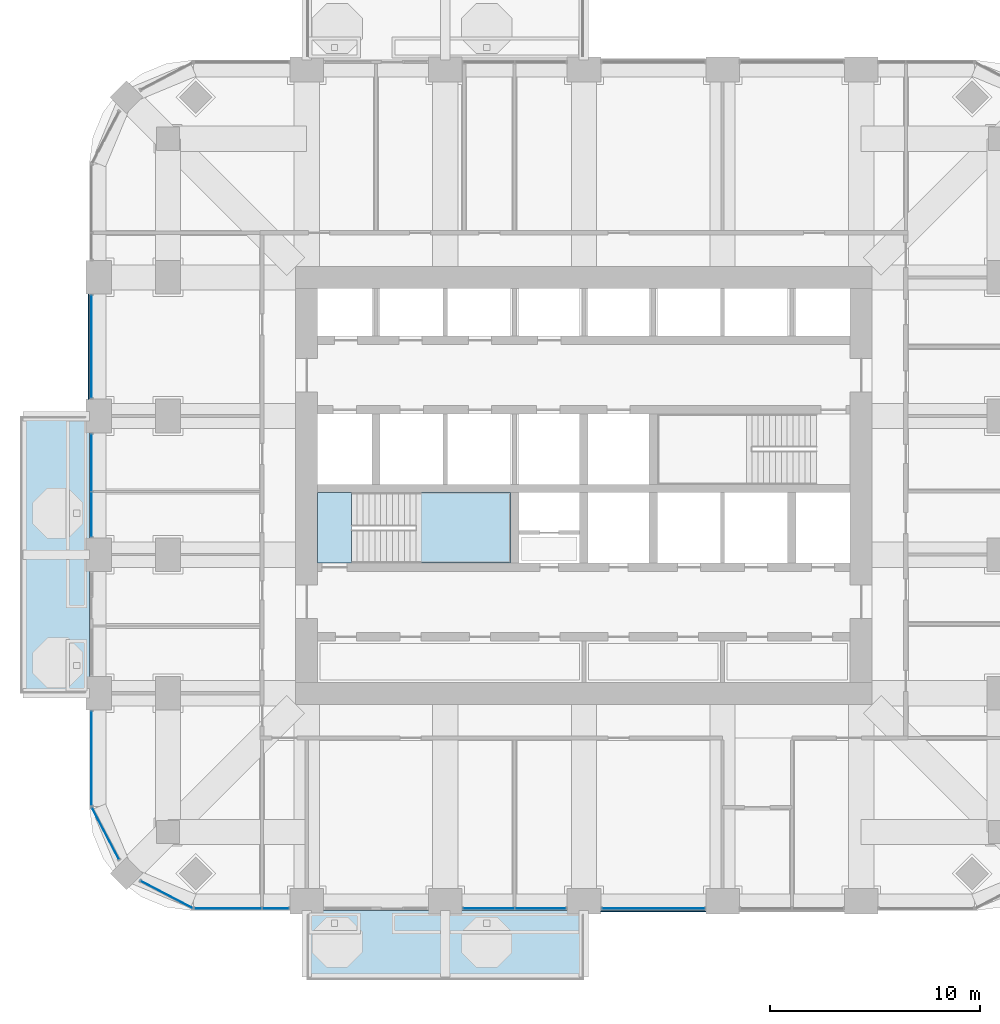
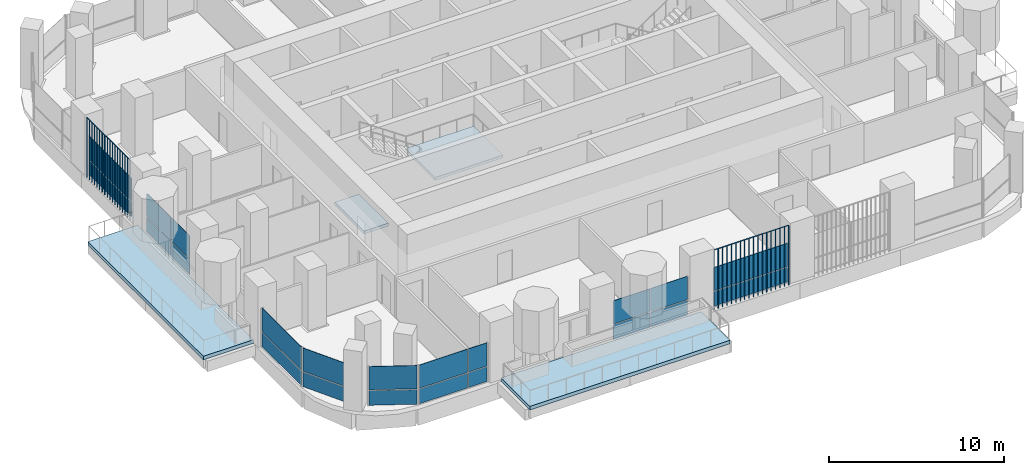
# One storey, part 8 of 20: 24 plates, 4 slabs, 9 elements without a shape of their own.
"""IFC4 building model written with IfcOpenShell, lengths in metres."""

from ifc_helpers import new_model, si_unit, direction, frame, origin, origin_2d, place, context, subcontext, project, spatial, polyline, rectangle, outline, extrude, material, layer, layer_set, type_object, element, aggregate, save


model = new_model("IFC4")

# Units and contexts
model_context = context("Model", 3, precision=1e-05, world=origin(), true_north=direction((0.0, 1.0)))
body_context = subcontext(model_context, "Body", "Model", "MODEL_VIEW")
ifc_project = project(units=[si_unit("LENGTHUNIT", "METRE"), si_unit("AREAUNIT", "SQUARE_METRE"), si_unit("VOLUMEUNIT", "CUBIC_METRE"), si_unit("PLANEANGLEUNIT", "RADIAN"), si_unit("MASSUNIT", "GRAM", prefix="KILO")], contexts=[model_context])

# Site, building, storey
site_placement = place(None, origin())
site = spatial("IfcSite", under=ifc_project, at=site_placement, CompositionType="ELEMENT")
building_placement = place(site_placement, origin())
building = spatial("IfcBuilding", under=site, at=building_placement, Name="Cobogo Forest Laboratory Tower", CompositionType="ELEMENT")
storey_placement = place(building_placement, frame((0.0, 0.0, 176.699951171875)))
storey = spatial("IfcBuildingStorey", under=building, at=storey_placement, Name="L40", CompositionType="ELEMENT", Elevation=176.699951171875)

# Slabs
ifc_material_1 = material(Name="Concrete HA-40 (C40/50)", Category="concrete")
ifc_layer_1 = layer(ifc_material_1, 0.25)
ifc_layer_set_1 = layer_set([ifc_layer_1], Name="Balcony slab 250")
slab_type_1 = type_object("IfcSlabType", Name="Balcony slab 250", PredefinedType="FLOOR", material=ifc_layer_set_1)
slab_1_placement = place(storey_placement, frame((0.0, 0.0, -0.25)))
element("IfcSlab", 1, at=slab_1_placement, inside=storey, type_object=slab_type_1, Name="Balcony BAL-S1 L40", PredefinedType="FLOOR", context=body_context, shape_type="SweptSolid", body=[
    extrude(outline(polyline([(13.199951171875, -0.449951171875), (26.39990234375, -0.449951171875), (26.39990234375, 2.85009765625), (13.199951171875, 2.85009765625), (13.199951171875, -0.449951171875)])), origin(), (0.0, 0.0, 1.0), 0.25),
])
slab_2_placement = place(storey_placement, frame((0.0, 0.0, -0.25)))
element("IfcSlab", 2, at=slab_2_placement, inside=storey, type_object=slab_type_1, Name="Balcony BAL-W1 L40", PredefinedType="FLOOR", context=body_context, shape_type="SweptSolid", body=[
    extrude(outline(polyline([(-0.449951171875, 13.199951171875), (2.85009765625, 13.199951171875), (2.85009765625, 26.39990234375), (-0.449951171875, 26.39990234375), (-0.449951171875, 13.199951171875)])), origin(), (0.0, 0.0, 1.0), 0.25),
])

# Curtain wall, plates
ifc_material_2 = material(Name="Aluminium curtain wall", Category="aluminium")
curtain_wall_type = type_object("IfcCurtainWallType", Name="CW-2 unitised curtain wall, solar control glazing, laboratory floors zones C and D", PredefinedType="USERDEFINED", material=ifc_material_2)
curtain_wall_1_placement = place(storey_placement, origin())
curtain_wall_1 = element("IfcCurtainWall", 3, at=curtain_wall_1_placement, inside=storey, type_object=curtain_wall_type, Name="Curtain wall 01 L40", ObjectType="UNITISED CURTAIN WALL", PredefinedType="USERDEFINED")
ifc_material_3 = material(Name="Solar control insulated glass", Category="glass")
ifc_layer_2 = layer(ifc_material_3, 0.031982421875)
ifc_layer_set_2 = layer_set([ifc_layer_2], Name="GP-2 solar control glass unit 32")
plate_type_1 = type_object("IfcPlateType", Name="GP-2 solar control glass unit 32", PredefinedType="CURTAIN_PANEL", material=ifc_layer_set_2)
plate_1_placement = place(storey_placement, frame((9.452392578125, 2.949951171875, 0.0), z_axis=(0.0, 0.0, 1.0), x_axis=(1.0, 0.0, 0.0)))
plate_1 = element("IfcPlate", 4, at=plate_1_placement, type_object=plate_type_1, Name="CW-2 panel 1.1", PredefinedType="CURTAIN_PANEL", context=body_context, shape_type="SweptSolid", body=[
    extrude(rectangle(XDim=3.18505859375, YDim=0.031982421875, at=origin_2d()), origin(), (0.0, 0.0, 1.0), 1.02001953125),
])
plate_2_placement = place(storey_placement, frame((9.452392578125, 2.949951171875, 1.080078125), z_axis=(0.0, 0.0, 1.0), x_axis=(1.0, 0.0, 0.0)))
plate_2 = element("IfcPlate", 5, at=plate_2_placement, type_object=plate_type_1, Name="CW-2 panel 1.2", PredefinedType="CURTAIN_PANEL", context=body_context, shape_type="SweptSolid", body=[
    extrude(rectangle(XDim=3.18505859375, YDim=0.031982421875, at=origin_2d()), origin(), (0.0, 0.0, 1.0), 1.6201171875),
])
plate_3_placement = place(storey_placement, frame((11.722412109375, 2.949951171875, 0.0), z_axis=(0.0, 0.0, 1.0), x_axis=(1.0, 0.0, 0.0)))
plate_3 = element("IfcPlate", 6, at=plate_3_placement, type_object=plate_type_1, Name="CW-2 panel 2.1", PredefinedType="CURTAIN_PANEL", context=body_context, shape_type="SweptSolid", body=[
    extrude(rectangle(XDim=1.235107421875, YDim=0.031982421875, at=origin_2d()), origin(), (0.0, 0.0, 1.0), 1.02001953125),
])
plate_4_placement = place(storey_placement, frame((11.722412109375, 2.949951171875, 1.080078125), z_axis=(0.0, 0.0, 1.0), x_axis=(1.0, 0.0, 0.0)))
plate_4 = element("IfcPlate", 7, at=plate_4_placement, type_object=plate_type_1, Name="CW-2 panel 2.2", PredefinedType="CURTAIN_PANEL", context=body_context, shape_type="SweptSolid", body=[
    extrude(rectangle(XDim=1.235107421875, YDim=0.031982421875, at=origin_2d()), origin(), (0.0, 0.0, 1.0), 1.6201171875),
])
aggregate(curtain_wall_1, [plate_1, plate_2, plate_3, plate_4])

curtain_wall_2_placement = place(storey_placement, origin())
curtain_wall_2 = element("IfcCurtainWall", 8, at=curtain_wall_2_placement, inside=storey, type_object=curtain_wall_type, Name="Curtain wall 03 L40", ObjectType="UNITISED CURTAIN WALL", PredefinedType="USERDEFINED")
plate_5_placement = place(storey_placement, frame((21.864990234375, 2.949951171875, 0.0), z_axis=(0.0, 0.0, 1.0), x_axis=(1.0, 0.0, 0.0)))
plate_5 = element("IfcPlate", 9, at=plate_5_placement, type_object=plate_type_1, Name="CW-2 panel 1.1", PredefinedType="CURTAIN_PANEL", context=body_context, shape_type="SweptSolid", body=[
    extrude(rectangle(XDim=2.409912109375, YDim=0.031982421875, at=origin_2d()), origin(), (0.0, 0.0, 1.0), 1.02001953125),
])
plate_6_placement = place(storey_placement, frame((21.864990234375, 2.949951171875, 1.080078125), z_axis=(0.0, 0.0, 1.0), x_axis=(1.0, 0.0, 0.0)))
plate_6 = element("IfcPlate", 10, at=plate_6_placement, type_object=plate_type_1, Name="CW-2 panel 1.2", PredefinedType="CURTAIN_PANEL", context=body_context, shape_type="SweptSolid", body=[
    extrude(rectangle(XDim=2.409912109375, YDim=0.031982421875, at=origin_2d()), origin(), (0.0, 0.0, 1.0), 1.6201171875),
])
plate_7_placement = place(storey_placement, frame((24.3349609375, 2.949951171875, 0.0), z_axis=(0.0, 0.0, 1.0), x_axis=(1.0, 0.0, 0.0)))
plate_7 = element("IfcPlate", 11, at=plate_7_placement, type_object=plate_type_1, Name="CW-2 panel 2.1", PredefinedType="CURTAIN_PANEL", context=body_context, shape_type="SweptSolid", body=[
    extrude(rectangle(XDim=2.409912109375, YDim=0.031982421875, at=origin_2d()), origin(), (0.0, 0.0, 1.0), 1.02001953125),
])
plate_8_placement = place(storey_placement, frame((24.3349609375, 2.949951171875, 1.080078125), z_axis=(0.0, 0.0, 1.0), x_axis=(1.0, 0.0, 0.0)))
plate_8 = element("IfcPlate", 12, at=plate_8_placement, type_object=plate_type_1, Name="CW-2 panel 2.2", PredefinedType="CURTAIN_PANEL", context=body_context, shape_type="SweptSolid", body=[
    extrude(rectangle(XDim=2.409912109375, YDim=0.031982421875, at=origin_2d()), origin(), (0.0, 0.0, 1.0), 1.6201171875),
])
aggregate(curtain_wall_2, [plate_5, plate_6, plate_7, plate_8])

curtain_wall_3_placement = place(storey_placement, origin())
curtain_wall_3 = element("IfcCurtainWall", 13, at=curtain_wall_3_placement, inside=storey, type_object=curtain_wall_type, Name="Curtain wall 04 L40", ObjectType="UNITISED CURTAIN WALL", PredefinedType="USERDEFINED")
plate_9_placement = place(storey_placement, frame((29.699951171875, 2.949951171875, 0.0), z_axis=(0.0, 0.0, 1.0), x_axis=(1.0, 0.0, 0.0)))
plate_9 = element("IfcPlate", 14, at=plate_9_placement, type_object=plate_type_1, Name="CW-2 panel 1.1", PredefinedType="CURTAIN_PANEL", context=body_context, shape_type="SweptSolid", body=[
    extrude(rectangle(XDim=4.8798828125, YDim=0.031982421875, at=origin_2d()), origin(), (0.0, 0.0, 1.0), 1.02001953125),
])
plate_10_placement = place(storey_placement, frame((29.699951171875, 2.949951171875, 1.080078125), z_axis=(0.0, 0.0, 1.0), x_axis=(1.0, 0.0, 0.0)))
plate_10 = element("IfcPlate", 15, at=plate_10_placement, type_object=plate_type_1, Name="CW-2 panel 1.2", PredefinedType="CURTAIN_PANEL", context=body_context, shape_type="SweptSolid", body=[
    extrude(rectangle(XDim=4.8798828125, YDim=0.031982421875, at=origin_2d()), origin(), (0.0, 0.0, 1.0), 1.6201171875),
])
aggregate(curtain_wall_3, [plate_9, plate_10])

curtain_wall_4_placement = place(storey_placement, origin())
curtain_wall_4 = element("IfcCurtainWall", 16, at=curtain_wall_4_placement, inside=storey, type_object=curtain_wall_type, Name="Curtain wall 25 L40", ObjectType="UNITISED CURTAIN WALL", PredefinedType="USERDEFINED")
plate_11_placement = place(storey_placement, frame((2.949951171875, 29.699951171875, 0.0), z_axis=(0.0, 0.0, 1.0), x_axis=(0.0, -1.0, 0.0)))
plate_11 = element("IfcPlate", 17, at=plate_11_placement, type_object=plate_type_1, Name="CW-2 panel 1.1", PredefinedType="CURTAIN_PANEL", context=body_context, shape_type="SweptSolid", body=[
    extrude(rectangle(XDim=4.8798828125, YDim=0.031982421875, at=origin_2d()), origin(), (0.0, 0.0, 1.0), 1.02001953125),
])
plate_12_placement = place(storey_placement, frame((2.949951171875, 29.699951171875, 1.080078125), z_axis=(0.0, 0.0, 1.0), x_axis=(0.0, -1.0, 0.0)))
plate_12 = element("IfcPlate", 18, at=plate_12_placement, type_object=plate_type_1, Name="CW-2 panel 1.2", PredefinedType="CURTAIN_PANEL", context=body_context, shape_type="SweptSolid", body=[
    extrude(rectangle(XDim=4.8798828125, YDim=0.031982421875, at=origin_2d()), origin(), (0.0, 0.0, 1.0), 1.6201171875),
])
aggregate(curtain_wall_4, [plate_11, plate_12])

curtain_wall_5_placement = place(storey_placement, origin())
curtain_wall_5 = element("IfcCurtainWall", 19, at=curtain_wall_5_placement, inside=storey, type_object=curtain_wall_type, Name="Curtain wall 26 L40", ObjectType="UNITISED CURTAIN WALL", PredefinedType="USERDEFINED")
plate_13_placement = place(storey_placement, frame((2.949951171875, 24.18505859375, 0.0), z_axis=(0.0, 0.0, 1.0), x_axis=(0.0, -1.0, 0.0)))
plate_13 = element("IfcPlate", 20, at=plate_13_placement, type_object=plate_type_1, Name="CW-2 panel 1.1", PredefinedType="CURTAIN_PANEL", context=body_context, shape_type="SweptSolid", body=[
    extrude(rectangle(XDim=2.7099609375, YDim=0.031982421875, at=origin_2d()), origin(), (0.0, 0.0, 1.0), 1.02001953125),
])
plate_14_placement = place(storey_placement, frame((2.949951171875, 24.18505859375, 1.080078125), z_axis=(0.0, 0.0, 1.0), x_axis=(0.0, -1.0, 0.0)))
plate_14 = element("IfcPlate", 21, at=plate_14_placement, type_object=plate_type_1, Name="CW-2 panel 1.2", PredefinedType="CURTAIN_PANEL", context=body_context, shape_type="SweptSolid", body=[
    extrude(rectangle(XDim=2.7099609375, YDim=0.031982421875, at=origin_2d()), origin(), (0.0, 0.0, 1.0), 1.6201171875),
])
plate_15_placement = place(storey_placement, frame((2.949951171875, 21.715087890625, 0.0), z_axis=(0.0, 0.0, 1.0), x_axis=(0.0, -1.0, 0.0)))
plate_15 = element("IfcPlate", 22, at=plate_15_placement, type_object=plate_type_1, Name="CW-2 panel 2.1", PredefinedType="CURTAIN_PANEL", context=body_context, shape_type="SweptSolid", body=[
    extrude(rectangle(XDim=2.110107421875, YDim=0.031982421875, at=origin_2d()), origin(), (0.0, 0.0, 1.0), 1.02001953125),
])
plate_16_placement = place(storey_placement, frame((2.949951171875, 21.715087890625, 1.080078125), z_axis=(0.0, 0.0, 1.0), x_axis=(0.0, -1.0, 0.0)))
plate_16 = element("IfcPlate", 23, at=plate_16_placement, type_object=plate_type_1, Name="CW-2 panel 2.2", PredefinedType="CURTAIN_PANEL", context=body_context, shape_type="SweptSolid", body=[
    extrude(rectangle(XDim=2.110107421875, YDim=0.031982421875, at=origin_2d()), origin(), (0.0, 0.0, 1.0), 1.6201171875),
])
aggregate(curtain_wall_5, [plate_13, plate_14, plate_15, plate_16])

curtain_wall_6_placement = place(storey_placement, origin())
curtain_wall_6 = element("IfcCurtainWall", 24, at=curtain_wall_6_placement, inside=storey, type_object=curtain_wall_type, Name="Curtain wall 28 L40", ObjectType="UNITISED CURTAIN WALL", PredefinedType="USERDEFINED")
plate_17_placement = place(storey_placement, frame((2.949951171875, 10.10009765625, 0.0), z_axis=(0.0, 0.0, 1.0), x_axis=(0.0, -1.0, 0.0)))
plate_17 = element("IfcPlate", 25, at=plate_17_placement, type_object=plate_type_1, Name="CW-2 panel 1.1", PredefinedType="CURTAIN_PANEL", context=body_context, shape_type="SweptSolid", body=[
    extrude(rectangle(XDim=4.47998046875, YDim=0.031982421875, at=origin_2d()), origin(), (0.0, 0.0, 1.0), 1.02001953125),
])
plate_18_placement = place(storey_placement, frame((2.949951171875, 10.10009765625, 1.080078125), z_axis=(0.0, 0.0, 1.0), x_axis=(0.0, -1.0, 0.0)))
plate_18 = element("IfcPlate", 26, at=plate_18_placement, type_object=plate_type_1, Name="CW-2 panel 1.2", PredefinedType="CURTAIN_PANEL", context=body_context, shape_type="SweptSolid", body=[
    extrude(rectangle(XDim=4.47998046875, YDim=0.031982421875, at=origin_2d()), origin(), (0.0, 0.0, 1.0), 1.6201171875),
])
aggregate(curtain_wall_6, [plate_17, plate_18])

curtain_wall_7_placement = place(storey_placement, origin())
curtain_wall_7 = element("IfcCurtainWall", 27, at=curtain_wall_7_placement, inside=storey, type_object=curtain_wall_type, Name="Curtain wall 29 L40", ObjectType="UNITISED CURTAIN WALL", PredefinedType="USERDEFINED")
plate_19_placement = place(storey_placement, frame((3.61865234375, 6.5244140625, 0.0), z_axis=(0.0, 0.0, 1.0), x_axis=(0.464283804832, -0.885686484356, 0.0)))
plate_19 = element("IfcPlate", 28, at=plate_19_placement, type_object=plate_type_1, Name="CW-2 panel 1.1", PredefinedType="CURTAIN_PANEL", context=body_context, shape_type="SweptSolid", body=[
    extrude(rectangle(XDim=2.76025390625, YDim=0.031982421875, at=origin_2d()), origin(), (0.0, 0.0, 1.0), 1.02001953125),
])
plate_20_placement = place(storey_placement, frame((3.61865234375, 6.5244140625, 1.080078125), z_axis=(0.0, 0.0, 1.0), x_axis=(0.464283804832, -0.885686484356, 0.0)))
plate_20 = element("IfcPlate", 29, at=plate_20_placement, type_object=plate_type_1, Name="CW-2 panel 1.2", PredefinedType="CURTAIN_PANEL", context=body_context, shape_type="SweptSolid", body=[
    extrude(rectangle(XDim=2.76025390625, YDim=0.031982421875, at=origin_2d()), origin(), (0.0, 0.0, 1.0), 1.6201171875),
])
aggregate(curtain_wall_7, [plate_19, plate_20])

curtain_wall_8_placement = place(storey_placement, origin())
curtain_wall_8 = element("IfcCurtainWall", 30, at=curtain_wall_8_placement, inside=storey, type_object=curtain_wall_type, Name="Curtain wall 30 L40", ObjectType="UNITISED CURTAIN WALL", PredefinedType="USERDEFINED")
plate_21_placement = place(storey_placement, frame((6.5244140625, 3.61865234375, 0.0), z_axis=(0.0, 0.0, 1.0), x_axis=(0.885686484356, -0.464283804832, 0.0)))
plate_21 = element("IfcPlate", 31, at=plate_21_placement, type_object=plate_type_1, Name="CW-2 panel 1.1", PredefinedType="CURTAIN_PANEL", context=body_context, shape_type="SweptSolid", body=[
    extrude(rectangle(XDim=2.76025390625, YDim=0.031982421875, at=origin_2d()), origin(), (0.0, 0.0, 1.0), 1.02001953125),
])
plate_22_placement = place(storey_placement, frame((6.5244140625, 3.61865234375, 1.080078125), z_axis=(0.0, 0.0, 1.0), x_axis=(0.885686484356, -0.464283804832, 0.0)))
plate_22 = element("IfcPlate", 32, at=plate_22_placement, type_object=plate_type_1, Name="CW-2 panel 1.2", PredefinedType="CURTAIN_PANEL", context=body_context, shape_type="SweptSolid", body=[
    extrude(rectangle(XDim=2.76025390625, YDim=0.031982421875, at=origin_2d()), origin(), (0.0, 0.0, 1.0), 1.6201171875),
])
aggregate(curtain_wall_8, [plate_21, plate_22])

# Stair, slabs
ifc_material_4 = material(Name="Precast concrete HA-40 (C40/50)", Category="concrete")
stair_type = type_object("IfcStairType", Name="ST24 exit stair 24 risers", PredefinedType="HALF_TURN_STAIR", material=ifc_material_4)
stair_placement = place(storey_placement, origin())
stair = element("IfcStair", 33, at=stair_placement, inside=storey, type_object=stair_type, Name="Stair 1 L40 to L41", PredefinedType="HALF_TURN_STAIR")
ifc_layer_3 = layer(ifc_material_1, 0.199951171875)
ifc_layer_set_3 = layer_set([ifc_layer_3], Name="SL stair landing 200")
slab_type_2 = type_object("IfcSlabType", Name="SL stair landing 200", PredefinedType="LANDING", material=ifc_layer_set_3)
slab_3_placement = place(storey_placement, frame((0.0, 0.0, -0.199951171875)))
slab_3 = element("IfcSlab", 34, at=slab_3_placement, type_object=slab_type_2, Name="ST1 landing 1", PredefinedType="LANDING", context=body_context, shape_type="SweptSolid", body=[
    extrude(outline(polyline([(13.72509765625, 19.39990234375), (15.326904296875, 19.39990234375), (15.326904296875, 22.75), (13.72509765625, 22.75), (13.72509765625, 19.39990234375)])), origin(), (0.0, 0.0, 1.0), 0.199951171875),
])
slab_4_placement = place(storey_placement, frame((0.0, 0.0, 1.900146484375)))
slab_4 = element("IfcSlab", 35, at=slab_4_placement, type_object=slab_type_2, Name="ST1 landing 2", PredefinedType="LANDING", context=body_context, shape_type="SweptSolid", body=[
    extrude(outline(polyline([(18.403076171875, 19.39990234375), (22.89990234375, 19.39990234375), (22.89990234375, 22.75), (18.403076171875, 22.75), (18.403076171875, 19.39990234375)])), origin(), (0.0, 0.0, 1.0), 0.199951171875),
])
aggregate(stair, [slab_3, slab_4])

# Plates
ifc_material_5 = material(Name="Terracotta", Category="masonry")
plate_type_2 = type_object("IfcPlateType", Name="TB1 terracotta baguette screen", PredefinedType="USERDEFINED", material=ifc_material_5)
plate_23_placement = place(storey_placement, frame((27.231201171875, 2.822021484375, -0.14990234375)))
element("IfcPlate", 36, at=plate_23_placement, inside=storey, type_object=plate_type_2, Name="Baguette screen S3 L40", ObjectType="BAGUETTE SCREEN", PredefinedType="USERDEFINED", context=body_context, shape_type="SweptSolid", body=[
    extrude(outline(polyline([(0.02880859375, 0.011962890625), (0.011962890625, 0.02880859375), (-0.011962890625, 0.02880859375), (-0.02880859375, 0.011962890625), (-0.02880859375, -0.011962890625), (-0.011962890625, -0.02880859375), (0.011962890625, -0.02880859375), (0.02880859375, -0.011962890625), (0.02880859375, 0.011962890625)])), frame((0.0, 0.0, 4.168701171875), z_axis=(1.0, 0.0, 0.0), x_axis=(0.0, 1.0, 0.0)), (0.0, 0.0, 1.0), 4.9375),
    extrude(outline(polyline([(0.02880859375, 0.011962890625), (0.011962890625, 0.02880859375), (-0.011962890625, 0.02880859375), (-0.02880859375, 0.011962890625), (-0.02880859375, -0.011962890625), (-0.011962890625, -0.02880859375), (0.011962890625, -0.02880859375), (0.02880859375, -0.011962890625), (0.02880859375, 0.011962890625)])), origin(), (0.0, 0.0, 1.0), 4.137451171875),
    extrude(outline(polyline([(0.02880859375, 0.011962890625), (0.011962890625, 0.02880859375), (-0.011962890625, 0.02880859375), (-0.02880859375, 0.011962890625), (-0.02880859375, -0.011962890625), (-0.011962890625, -0.02880859375), (0.011962890625, -0.02880859375), (0.02880859375, -0.011962890625), (0.02880859375, 0.011962890625)])), frame((0.29052734375, 0.0, 0.0)), (0.0, 0.0, 1.0), 4.137451171875),
    extrude(outline(polyline([(0.02880859375, 0.011962890625), (0.011962890625, 0.02880859375), (-0.011962890625, 0.02880859375), (-0.02880859375, 0.011962890625), (-0.02880859375, -0.011962890625), (-0.011962890625, -0.02880859375), (0.011962890625, -0.02880859375), (0.02880859375, -0.011962890625), (0.02880859375, 0.011962890625)])), frame((0.580810546875, 0.0, 0.0)), (0.0, 0.0, 1.0), 4.137451171875),
    extrude(outline(polyline([(0.02880859375, 0.011962890625), (0.011962890625, 0.02880859375), (-0.011962890625, 0.02880859375), (-0.02880859375, 0.011962890625), (-0.02880859375, -0.011962890625), (-0.011962890625, -0.02880859375), (0.011962890625, -0.02880859375), (0.02880859375, -0.011962890625), (0.02880859375, 0.011962890625)])), frame((0.871337890625, 0.0, 0.0)), (0.0, 0.0, 1.0), 4.137451171875),
    extrude(outline(polyline([(0.02880859375, 0.011962890625), (0.011962890625, 0.02880859375), (-0.011962890625, 0.02880859375), (-0.02880859375, 0.011962890625), (-0.02880859375, -0.011962890625), (-0.011962890625, -0.02880859375), (0.011962890625, -0.02880859375), (0.02880859375, -0.011962890625), (0.02880859375, 0.011962890625)])), frame((1.161865234375, 0.0, 0.0)), (0.0, 0.0, 1.0), 4.137451171875),
    extrude(outline(polyline([(0.02880859375, 0.011962890625), (0.011962890625, 0.02880859375), (-0.011962890625, 0.02880859375), (-0.02880859375, 0.011962890625), (-0.02880859375, -0.011962890625), (-0.011962890625, -0.02880859375), (0.011962890625, -0.02880859375), (0.02880859375, -0.011962890625), (0.02880859375, 0.011962890625)])), frame((1.4521484375, 0.0, 0.0)), (0.0, 0.0, 1.0), 4.137451171875),
    extrude(outline(polyline([(0.02880859375, 0.011962890625), (0.011962890625, 0.02880859375), (-0.011962890625, 0.02880859375), (-0.02880859375, 0.011962890625), (-0.02880859375, -0.011962890625), (-0.011962890625, -0.02880859375), (0.011962890625, -0.02880859375), (0.02880859375, -0.011962890625), (0.02880859375, 0.011962890625)])), frame((1.74267578125, 0.0, 0.0)), (0.0, 0.0, 1.0), 4.137451171875),
    extrude(outline(polyline([(0.02880859375, 0.011962890625), (0.011962890625, 0.02880859375), (-0.011962890625, 0.02880859375), (-0.02880859375, 0.011962890625), (-0.02880859375, -0.011962890625), (-0.011962890625, -0.02880859375), (0.011962890625, -0.02880859375), (0.02880859375, -0.011962890625), (0.02880859375, 0.011962890625)])), frame((2.033203125, 0.0, 0.0)), (0.0, 0.0, 1.0), 4.137451171875),
    extrude(outline(polyline([(0.02880859375, 0.011962890625), (0.011962890625, 0.02880859375), (-0.011962890625, 0.02880859375), (-0.02880859375, 0.011962890625), (-0.02880859375, -0.011962890625), (-0.011962890625, -0.02880859375), (0.011962890625, -0.02880859375), (0.02880859375, -0.011962890625), (0.02880859375, 0.011962890625)])), frame((2.323486328125, 0.0, 0.0)), (0.0, 0.0, 1.0), 4.137451171875),
    extrude(outline(polyline([(0.02880859375, 0.011962890625), (0.011962890625, 0.02880859375), (-0.011962890625, 0.02880859375), (-0.02880859375, 0.011962890625), (-0.02880859375, -0.011962890625), (-0.011962890625, -0.02880859375), (0.011962890625, -0.02880859375), (0.02880859375, -0.011962890625), (0.02880859375, 0.011962890625)])), frame((2.614013671875, 0.0, 0.0)), (0.0, 0.0, 1.0), 4.137451171875),
    extrude(outline(polyline([(0.02880859375, 0.011962890625), (0.011962890625, 0.02880859375), (-0.011962890625, 0.02880859375), (-0.02880859375, 0.011962890625), (-0.02880859375, -0.011962890625), (-0.011962890625, -0.02880859375), (0.011962890625, -0.02880859375), (0.02880859375, -0.011962890625), (0.02880859375, 0.011962890625)])), frame((2.904296875, 0.0, 0.0)), (0.0, 0.0, 1.0), 4.137451171875),
    extrude(outline(polyline([(0.02880859375, 0.011962890625), (0.011962890625, 0.02880859375), (-0.011962890625, 0.02880859375), (-0.02880859375, 0.011962890625), (-0.02880859375, -0.011962890625), (-0.011962890625, -0.02880859375), (0.011962890625, -0.02880859375), (0.02880859375, -0.011962890625), (0.02880859375, 0.011962890625)])), frame((3.19482421875, 0.0, 0.0)), (0.0, 0.0, 1.0), 4.137451171875),
    extrude(outline(polyline([(0.02880859375, 0.011962890625), (0.011962890625, 0.02880859375), (-0.011962890625, 0.02880859375), (-0.02880859375, 0.011962890625), (-0.02880859375, -0.011962890625), (-0.011962890625, -0.02880859375), (0.011962890625, -0.02880859375), (0.02880859375, -0.011962890625), (0.02880859375, 0.011962890625)])), frame((3.4853515625, 0.0, 0.0)), (0.0, 0.0, 1.0), 4.137451171875),
    extrude(outline(polyline([(0.02880859375, 0.011962890625), (0.011962890625, 0.02880859375), (-0.011962890625, 0.02880859375), (-0.02880859375, 0.011962890625), (-0.02880859375, -0.011962890625), (-0.011962890625, -0.02880859375), (0.011962890625, -0.02880859375), (0.02880859375, -0.011962890625), (0.02880859375, 0.011962890625)])), frame((3.775634765625, 0.0, 0.0)), (0.0, 0.0, 1.0), 4.137451171875),
    extrude(outline(polyline([(0.02880859375, 0.011962890625), (0.011962890625, 0.02880859375), (-0.011962890625, 0.02880859375), (-0.02880859375, 0.011962890625), (-0.02880859375, -0.011962890625), (-0.011962890625, -0.02880859375), (0.011962890625, -0.02880859375), (0.02880859375, -0.011962890625), (0.02880859375, 0.011962890625)])), frame((4.066162109375, 0.0, 0.0)), (0.0, 0.0, 1.0), 4.137451171875),
    extrude(outline(polyline([(0.02880859375, 0.011962890625), (0.011962890625, 0.02880859375), (-0.011962890625, 0.02880859375), (-0.02880859375, 0.011962890625), (-0.02880859375, -0.011962890625), (-0.011962890625, -0.02880859375), (0.011962890625, -0.02880859375), (0.02880859375, -0.011962890625), (0.02880859375, 0.011962890625)])), frame((4.356689453125, 0.0, 0.0)), (0.0, 0.0, 1.0), 4.137451171875),
    extrude(outline(polyline([(0.02880859375, 0.011962890625), (0.011962890625, 0.02880859375), (-0.011962890625, 0.02880859375), (-0.02880859375, 0.011962890625), (-0.02880859375, -0.011962890625), (-0.011962890625, -0.02880859375), (0.011962890625, -0.02880859375), (0.02880859375, -0.011962890625), (0.02880859375, 0.011962890625)])), frame((4.64697265625, 0.0, 0.0)), (0.0, 0.0, 1.0), 4.137451171875),
    extrude(outline(polyline([(0.02880859375, 0.011962890625), (0.011962890625, 0.02880859375), (-0.011962890625, 0.02880859375), (-0.02880859375, 0.011962890625), (-0.02880859375, -0.011962890625), (-0.011962890625, -0.02880859375), (0.011962890625, -0.02880859375), (0.02880859375, -0.011962890625), (0.02880859375, 0.011962890625)])), frame((4.9375, 0.0, 0.0)), (0.0, 0.0, 1.0), 4.137451171875),
])
plate_24_placement = place(storey_placement, frame((2.822021484375, 27.231201171875, -0.14990234375)))
element("IfcPlate", 37, at=plate_24_placement, inside=storey, type_object=plate_type_2, Name="Baguette screen W3 L40", ObjectType="BAGUETTE SCREEN", PredefinedType="USERDEFINED", context=body_context, shape_type="SweptSolid", body=[
    extrude(outline(polyline([(0.02880859375, 0.011962890625), (0.011962890625, 0.02880859375), (-0.011962890625, 0.02880859375), (-0.02880859375, 0.011962890625), (-0.02880859375, -0.011962890625), (-0.011962890625, -0.02880859375), (0.011962890625, -0.02880859375), (0.02880859375, -0.011962890625), (0.02880859375, 0.011962890625)])), frame((0.0, 0.0, 4.168701171875), z_axis=(0.0, 1.0, 0.0), x_axis=(-1.0, 0.0, 0.0)), (0.0, 0.0, 1.0), 4.9375),
    extrude(outline(polyline([(0.02880859375, 0.011962890625), (0.011962890625, 0.02880859375), (-0.011962890625, 0.02880859375), (-0.02880859375, 0.011962890625), (-0.02880859375, -0.011962890625), (-0.011962890625, -0.02880859375), (0.011962890625, -0.02880859375), (0.02880859375, -0.011962890625), (0.02880859375, 0.011962890625)])), origin(), (0.0, 0.0, 1.0), 4.137451171875),
    extrude(outline(polyline([(0.02880859375, 0.011962890625), (0.011962890625, 0.02880859375), (-0.011962890625, 0.02880859375), (-0.02880859375, 0.011962890625), (-0.02880859375, -0.011962890625), (-0.011962890625, -0.02880859375), (0.011962890625, -0.02880859375), (0.02880859375, -0.011962890625), (0.02880859375, 0.011962890625)])), frame((0.0, 0.29052734375, 0.0)), (0.0, 0.0, 1.0), 4.137451171875),
    extrude(outline(polyline([(0.02880859375, 0.011962890625), (0.011962890625, 0.02880859375), (-0.011962890625, 0.02880859375), (-0.02880859375, 0.011962890625), (-0.02880859375, -0.011962890625), (-0.011962890625, -0.02880859375), (0.011962890625, -0.02880859375), (0.02880859375, -0.011962890625), (0.02880859375, 0.011962890625)])), frame((0.0, 0.580810546875, 0.0)), (0.0, 0.0, 1.0), 4.137451171875),
    extrude(outline(polyline([(0.02880859375, 0.011962890625), (0.011962890625, 0.02880859375), (-0.011962890625, 0.02880859375), (-0.02880859375, 0.011962890625), (-0.02880859375, -0.011962890625), (-0.011962890625, -0.02880859375), (0.011962890625, -0.02880859375), (0.02880859375, -0.011962890625), (0.02880859375, 0.011962890625)])), frame((0.0, 0.871337890625, 0.0)), (0.0, 0.0, 1.0), 4.137451171875),
    extrude(outline(polyline([(0.02880859375, 0.011962890625), (0.011962890625, 0.02880859375), (-0.011962890625, 0.02880859375), (-0.02880859375, 0.011962890625), (-0.02880859375, -0.011962890625), (-0.011962890625, -0.02880859375), (0.011962890625, -0.02880859375), (0.02880859375, -0.011962890625), (0.02880859375, 0.011962890625)])), frame((0.0, 1.161865234375, 0.0)), (0.0, 0.0, 1.0), 4.137451171875),
    extrude(outline(polyline([(0.02880859375, 0.011962890625), (0.011962890625, 0.02880859375), (-0.011962890625, 0.02880859375), (-0.02880859375, 0.011962890625), (-0.02880859375, -0.011962890625), (-0.011962890625, -0.02880859375), (0.011962890625, -0.02880859375), (0.02880859375, -0.011962890625), (0.02880859375, 0.011962890625)])), frame((0.0, 1.4521484375, 0.0)), (0.0, 0.0, 1.0), 4.137451171875),
    extrude(outline(polyline([(0.02880859375, 0.011962890625), (0.011962890625, 0.02880859375), (-0.011962890625, 0.02880859375), (-0.02880859375, 0.011962890625), (-0.02880859375, -0.011962890625), (-0.011962890625, -0.02880859375), (0.011962890625, -0.02880859375), (0.02880859375, -0.011962890625), (0.02880859375, 0.011962890625)])), frame((0.0, 1.74267578125, 0.0)), (0.0, 0.0, 1.0), 4.137451171875),
    extrude(outline(polyline([(0.02880859375, 0.011962890625), (0.011962890625, 0.02880859375), (-0.011962890625, 0.02880859375), (-0.02880859375, 0.011962890625), (-0.02880859375, -0.011962890625), (-0.011962890625, -0.02880859375), (0.011962890625, -0.02880859375), (0.02880859375, -0.011962890625), (0.02880859375, 0.011962890625)])), frame((0.0, 2.033203125, 0.0)), (0.0, 0.0, 1.0), 4.137451171875),
    extrude(outline(polyline([(0.02880859375, 0.011962890625), (0.011962890625, 0.02880859375), (-0.011962890625, 0.02880859375), (-0.02880859375, 0.011962890625), (-0.02880859375, -0.011962890625), (-0.011962890625, -0.02880859375), (0.011962890625, -0.02880859375), (0.02880859375, -0.011962890625), (0.02880859375, 0.011962890625)])), frame((0.0, 2.323486328125, 0.0)), (0.0, 0.0, 1.0), 4.137451171875),
    extrude(outline(polyline([(0.02880859375, 0.011962890625), (0.011962890625, 0.02880859375), (-0.011962890625, 0.02880859375), (-0.02880859375, 0.011962890625), (-0.02880859375, -0.011962890625), (-0.011962890625, -0.02880859375), (0.011962890625, -0.02880859375), (0.02880859375, -0.011962890625), (0.02880859375, 0.011962890625)])), frame((0.0, 2.614013671875, 0.0)), (0.0, 0.0, 1.0), 4.137451171875),
    extrude(outline(polyline([(0.02880859375, 0.011962890625), (0.011962890625, 0.02880859375), (-0.011962890625, 0.02880859375), (-0.02880859375, 0.011962890625), (-0.02880859375, -0.011962890625), (-0.011962890625, -0.02880859375), (0.011962890625, -0.02880859375), (0.02880859375, -0.011962890625), (0.02880859375, 0.011962890625)])), frame((0.0, 2.904296875, 0.0)), (0.0, 0.0, 1.0), 4.137451171875),
    extrude(outline(polyline([(0.02880859375, 0.011962890625), (0.011962890625, 0.02880859375), (-0.011962890625, 0.02880859375), (-0.02880859375, 0.011962890625), (-0.02880859375, -0.011962890625), (-0.011962890625, -0.02880859375), (0.011962890625, -0.02880859375), (0.02880859375, -0.011962890625), (0.02880859375, 0.011962890625)])), frame((0.0, 3.19482421875, 0.0)), (0.0, 0.0, 1.0), 4.137451171875),
    extrude(outline(polyline([(0.02880859375, 0.011962890625), (0.011962890625, 0.02880859375), (-0.011962890625, 0.02880859375), (-0.02880859375, 0.011962890625), (-0.02880859375, -0.011962890625), (-0.011962890625, -0.02880859375), (0.011962890625, -0.02880859375), (0.02880859375, -0.011962890625), (0.02880859375, 0.011962890625)])), frame((0.0, 3.4853515625, 0.0)), (0.0, 0.0, 1.0), 4.137451171875),
    extrude(outline(polyline([(0.02880859375, 0.011962890625), (0.011962890625, 0.02880859375), (-0.011962890625, 0.02880859375), (-0.02880859375, 0.011962890625), (-0.02880859375, -0.011962890625), (-0.011962890625, -0.02880859375), (0.011962890625, -0.02880859375), (0.02880859375, -0.011962890625), (0.02880859375, 0.011962890625)])), frame((0.0, 3.775634765625, 0.0)), (0.0, 0.0, 1.0), 4.137451171875),
    extrude(outline(polyline([(0.02880859375, 0.011962890625), (0.011962890625, 0.02880859375), (-0.011962890625, 0.02880859375), (-0.02880859375, 0.011962890625), (-0.02880859375, -0.011962890625), (-0.011962890625, -0.02880859375), (0.011962890625, -0.02880859375), (0.02880859375, -0.011962890625), (0.02880859375, 0.011962890625)])), frame((0.0, 4.066162109375, 0.0)), (0.0, 0.0, 1.0), 4.137451171875),
    extrude(outline(polyline([(0.02880859375, 0.011962890625), (0.011962890625, 0.02880859375), (-0.011962890625, 0.02880859375), (-0.02880859375, 0.011962890625), (-0.02880859375, -0.011962890625), (-0.011962890625, -0.02880859375), (0.011962890625, -0.02880859375), (0.02880859375, -0.011962890625), (0.02880859375, 0.011962890625)])), frame((0.0, 4.356689453125, 0.0)), (0.0, 0.0, 1.0), 4.137451171875),
    extrude(outline(polyline([(0.02880859375, 0.011962890625), (0.011962890625, 0.02880859375), (-0.011962890625, 0.02880859375), (-0.02880859375, 0.011962890625), (-0.02880859375, -0.011962890625), (-0.011962890625, -0.02880859375), (0.011962890625, -0.02880859375), (0.02880859375, -0.011962890625), (0.02880859375, 0.011962890625)])), frame((0.0, 4.64697265625, 0.0)), (0.0, 0.0, 1.0), 4.137451171875),
    extrude(outline(polyline([(0.02880859375, 0.011962890625), (0.011962890625, 0.02880859375), (-0.011962890625, 0.02880859375), (-0.02880859375, 0.011962890625), (-0.02880859375, -0.011962890625), (-0.011962890625, -0.02880859375), (0.011962890625, -0.02880859375), (0.02880859375, -0.011962890625), (0.02880859375, 0.011962890625)])), frame((0.0, 4.9375, 0.0)), (0.0, 0.0, 1.0), 4.137451171875),
])

save(model, "model.ifc")
